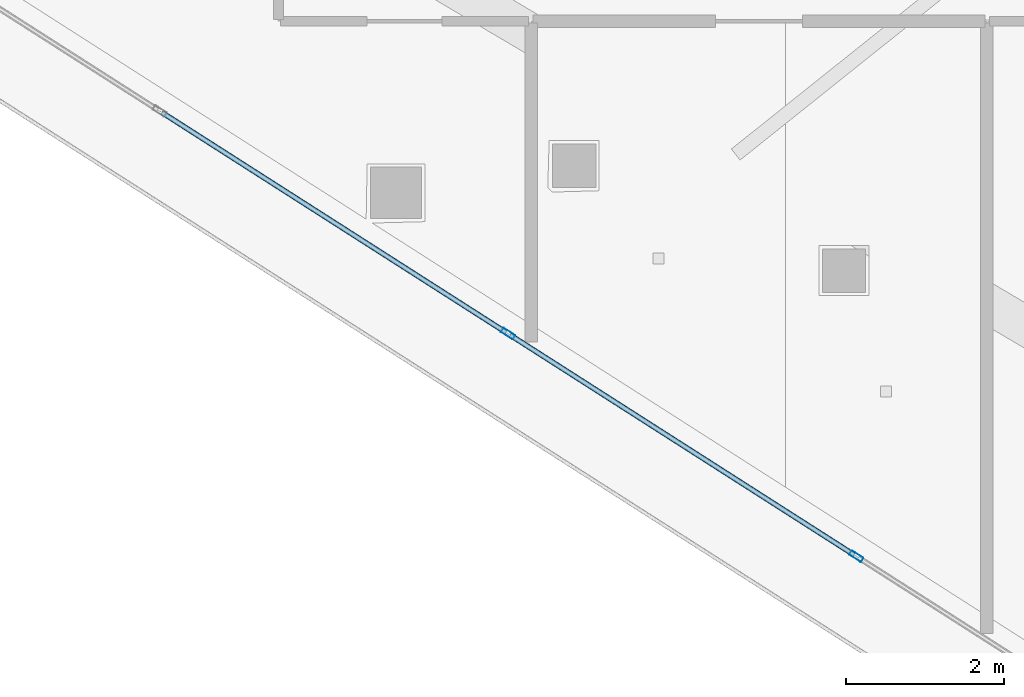
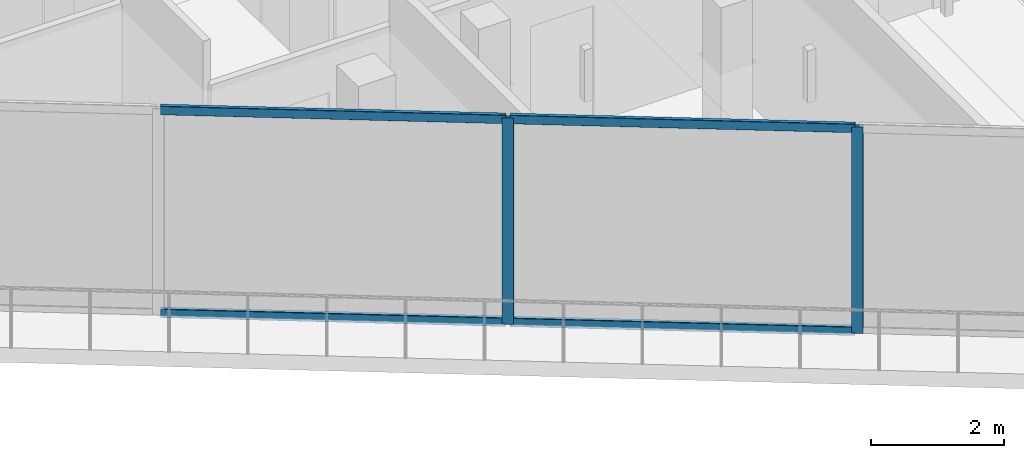
# One storey, part 4 of 33: 6 members, 1 element without a shape of its own.
"""IFC4 building model written with IfcOpenShell, lengths in metres."""

from ifc_helpers import new_model, si_unit, direction, frame, origin, origin_2d, place, context, subcontext, project, spatial, hollow_rectangle, extrude, material, layer, layer_set, material_profile, profile_set, type_object, element, aggregate, save


model = new_model("IFC4")

# Units and contexts
model_context = context("Model", 3, precision=1e-05, world=origin(), true_north=direction((0.0, 1.0)))
body_context = subcontext(model_context, "Body", "Model", "MODEL_VIEW")
ifc_project = project(units=[si_unit("LENGTHUNIT", "METRE"), si_unit("AREAUNIT", "SQUARE_METRE"), si_unit("VOLUMEUNIT", "CUBIC_METRE"), si_unit("PLANEANGLEUNIT", "RADIAN"), si_unit("MASSUNIT", "GRAM", prefix="KILO")], contexts=[model_context])

# Site, building, storey
site_placement = place(None, origin())
site = spatial("IfcSite", under=ifc_project, at=site_placement, CompositionType="ELEMENT")
building_placement = place(site_placement, origin())
building = spatial("IfcBuilding", under=site, at=building_placement, Name="Qorvath Tower", CompositionType="ELEMENT")
storey_placement = place(building_placement, frame((0.0, 0.0, 237.449951171875)))
storey = spatial("IfcBuildingStorey", under=building, at=storey_placement, Name="L55", CompositionType="ELEMENT", Elevation=237.449951171875)

# Curtain wall, members
ifc_material_1 = material(Name="Anodised aluminium and triple low-E glass", Category="aluminium")
ifc_layer = layer(ifc_material_1, 0.179931640625)
ifc_layer_set = layer_set([ifc_layer], Name="CW-SYS-3")
curtain_wall_type = type_object("IfcCurtainWallType", Name="CW-SYS-3", PredefinedType="NOTDEFINED", material=ifc_layer_set)
curtain_wall_placement = place(storey_placement, origin())
curtain_wall = element("IfcCurtainWall", 1, at=curtain_wall_placement, inside=storey, type_object=curtain_wall_type, Name="Curtain Wall CW-3 CW-T-L55-2.2", PredefinedType="NOTDEFINED")
ifc_material_2 = material(Name="Anodised aluminium 6063-T6", Category="aluminium")
ifc_material_profile_1 = material_profile(ifc_material_2, hollow_rectangle(XDim=0.06494140625, YDim=0.179931640625, WallThickness=0.00341796875, InnerFilletRadius=0.00341796875, OuterFilletRadius=0.007080078125, at=origin_2d()), Name="CWM 180x65")
ifc_profile_set_1 = profile_set([ifc_material_profile_1], Name="Anodised aluminium 6063-T6")
member_type_1 = type_object("IfcMemberType", Name="CWM-180", PredefinedType="MULLION", material=ifc_profile_set_1)
member_1_placement = place(storey_placement, frame((-34.943603515625, -14.92529296875, 0.0), z_axis=(0.0, 0.0, 1.0), x_axis=(0.53852851579, 0.842607285561, 0.0)))
member_1 = element("IfcMember", 2, at=member_1_placement, type_object=member_type_1, Name="CW-3 mullion 4", PredefinedType="MULLION", context=body_context, shape_type="SweptSolid", body=[
    extrude(hollow_rectangle(XDim=0.06494140625, YDim=0.179931640625, WallThickness=0.00341796875, InnerFilletRadius=0.00341796875, OuterFilletRadius=0.007080078125, at=origin_2d()), origin(), (0.0, 0.0, 1.0), 3.780029296875),
])
member_2_placement = place(storey_placement, frame((-30.521728515625, -17.751220703125, 0.0), z_axis=(0.0, 0.0, 1.0), x_axis=(0.53852851579, 0.842607285561, 0.0)))
member_2 = element("IfcMember", 3, at=member_2_placement, type_object=member_type_1, Name="CW-3 mullion 5", PredefinedType="MULLION", context=body_context, shape_type="SweptSolid", body=[
    extrude(hollow_rectangle(XDim=0.06494140625, YDim=0.179931640625, WallThickness=0.00341796875, InnerFilletRadius=0.00341796875, OuterFilletRadius=0.007080078125, at=origin_2d()), origin(), (0.0, 0.0, 1.0), 3.780029296875),
])
ifc_material_3 = material(Name="Anodised aluminium 6063-T6", Category="aluminium")
ifc_material_profile_2 = material_profile(ifc_material_3, hollow_rectangle(XDim=0.06494140625, YDim=0.159912109375, WallThickness=0.00341796875, InnerFilletRadius=0.00341796875, OuterFilletRadius=0.007080078125, at=origin_2d()), Name="CWT 160x65")
ifc_profile_set_2 = profile_set([ifc_material_profile_2], Name="Anodised aluminium 6063-T6")
member_type_2 = type_object("IfcMemberType", Name="CWT-160", PredefinedType="USERDEFINED", material=ifc_profile_set_2)
member_3_placement = place(storey_placement, frame((-39.337890625, -12.11669921875, 0.032470703125), z_axis=(0.842606602471, -0.538529584584, 0.0), x_axis=(0.538529584584, 0.842606602471, 0.0)))
member_3 = element("IfcMember", 4, at=member_3_placement, type_object=member_type_2, Name="CW-3 transom 3.1", ObjectType="TRANSOM", PredefinedType="USERDEFINED", context=body_context, shape_type="SweptSolid", body=[
    extrude(hollow_rectangle(XDim=0.06494140625, YDim=0.159912109375, WallThickness=0.00341796875, InnerFilletRadius=0.00341796875, OuterFilletRadius=0.007080078125, at=origin_2d()), origin(), (0.0, 0.0, 1.0), 5.1826171875),
])
member_4_placement = place(storey_placement, frame((-39.337890625, -12.11669921875, 3.74755859375), z_axis=(0.842606602471, -0.538529584584, 0.0), x_axis=(0.538529584584, 0.842606602471, 0.0)))
member_4 = element("IfcMember", 5, at=member_4_placement, type_object=member_type_2, Name="CW-3 transom 3.2", ObjectType="TRANSOM", PredefinedType="USERDEFINED", context=body_context, shape_type="SweptSolid", body=[
    extrude(hollow_rectangle(XDim=0.06494140625, YDim=0.159912109375, WallThickness=0.00341796875, InnerFilletRadius=0.00341796875, OuterFilletRadius=0.007080078125, at=origin_2d()), origin(), (0.0, 0.0, 1.0), 5.1826171875),
])
member_5_placement = place(storey_placement, frame((-34.916015625, -14.94287109375, 0.032470703125), z_axis=(0.842614316902, -0.538517514062, 0.0), x_axis=(0.538517514062, 0.842614316902, 0.0)))
member_5 = element("IfcMember", 6, at=member_5_placement, type_object=member_type_2, Name="CW-3 transom 4.1", ObjectType="TRANSOM", PredefinedType="USERDEFINED", context=body_context, shape_type="SweptSolid", body=[
    extrude(hollow_rectangle(XDim=0.06494140625, YDim=0.159912109375, WallThickness=0.00341796875, InnerFilletRadius=0.00341796875, OuterFilletRadius=0.007080078125, at=origin_2d()), origin(), (0.0, 0.0, 1.0), 5.182373046875),
])
member_6_placement = place(storey_placement, frame((-34.916015625, -14.94287109375, 3.74755859375), z_axis=(0.842614316902, -0.538517514062, 0.0), x_axis=(0.538517514062, 0.842614316902, 0.0)))
member_6 = element("IfcMember", 7, at=member_6_placement, type_object=member_type_2, Name="CW-3 transom 4.2", ObjectType="TRANSOM", PredefinedType="USERDEFINED", context=body_context, shape_type="SweptSolid", body=[
    extrude(hollow_rectangle(XDim=0.06494140625, YDim=0.159912109375, WallThickness=0.00341796875, InnerFilletRadius=0.00341796875, OuterFilletRadius=0.007080078125, at=origin_2d()), origin(), (0.0, 0.0, 1.0), 5.182373046875),
])
aggregate(curtain_wall, [member_1, member_2, member_3, member_4, member_5, member_6])

save(model, "model.ifc")
